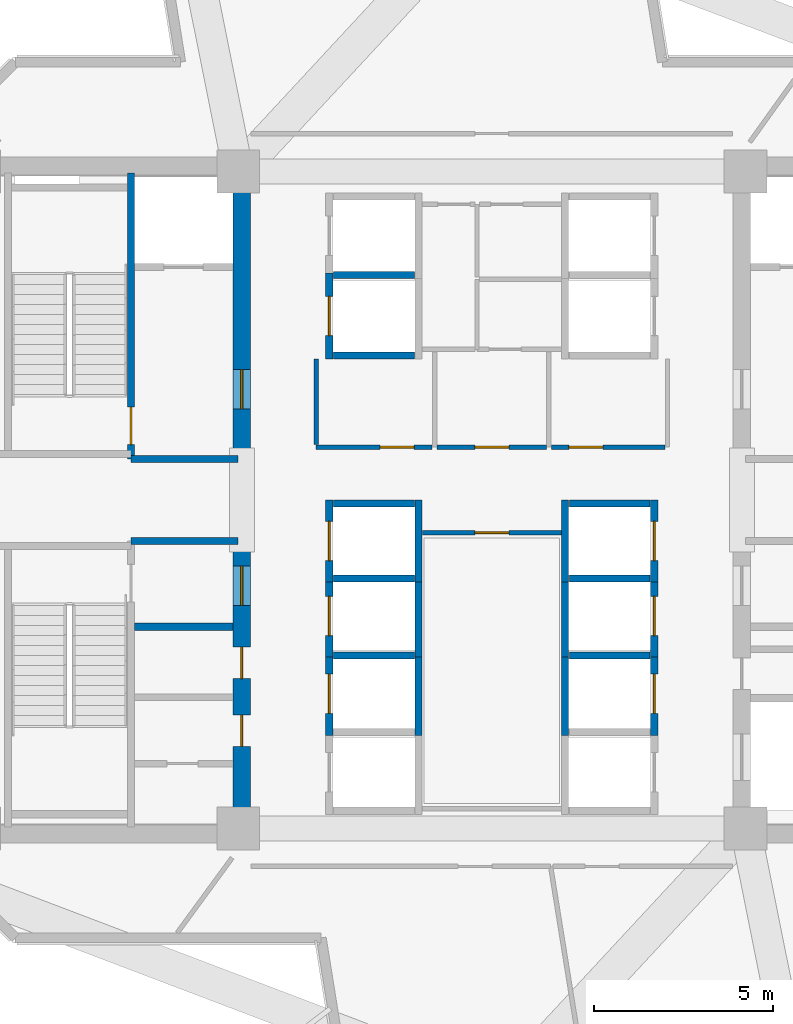
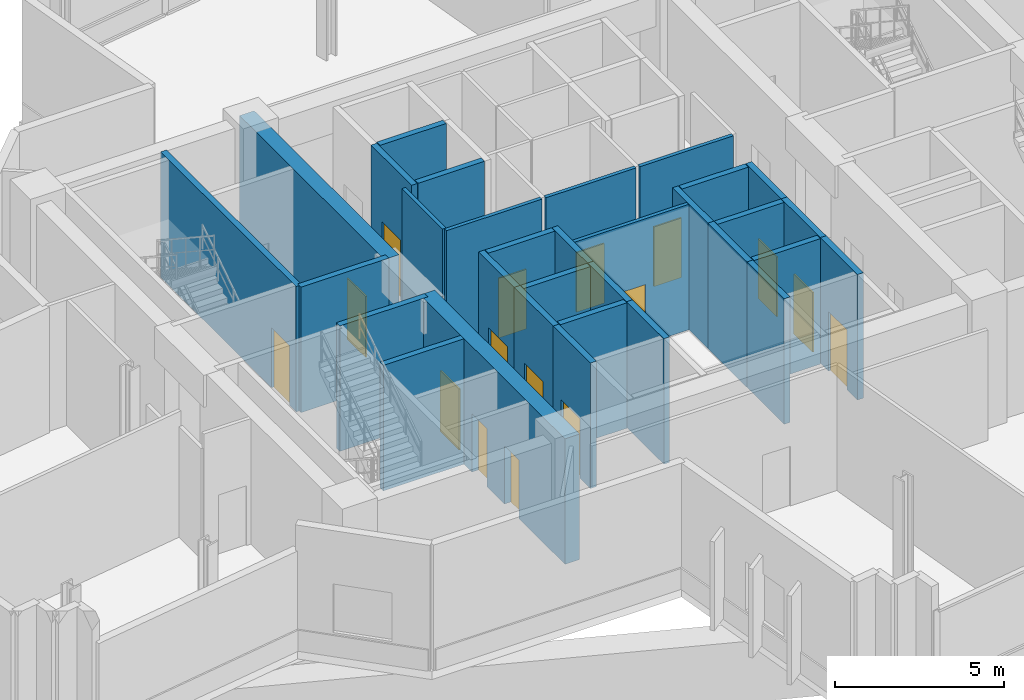
# One storey, part 6 of 12: 32 walls, 16 doors, 16 openings.
"""IFC4 building model written with IfcOpenShell, lengths in metres."""

from ifc_helpers import new_model, si_unit, direction, frame, frame_2d, origin, place, context, subcontext, project, spatial, rectangle, extrude, source, transform, mapped, material, layer, layer_set, type_object, element, fill, save


model = new_model("IFC4")

# Units and contexts
model_context = context("Model", 3, precision=1e-05, world=origin(), true_north=direction((0.0, 1.0)))
body_context = subcontext(model_context, "Body", "Model", "MODEL_VIEW")
ifc_project = project(units=[si_unit("LENGTHUNIT", "METRE"), si_unit("AREAUNIT", "SQUARE_METRE"), si_unit("VOLUMEUNIT", "CUBIC_METRE"), si_unit("PLANEANGLEUNIT", "RADIAN"), si_unit("MASSUNIT", "GRAM", prefix="KILO")], contexts=[model_context])

# Site, building, storey
site_placement = place(None, origin())
site = spatial("IfcSite", under=ifc_project, at=site_placement, CompositionType="ELEMENT")
building_placement = place(site_placement, origin())
building = spatial("IfcBuilding", under=site, at=building_placement, Name="Zahravan Cultural Tower", CompositionType="ELEMENT")
storey_placement = place(building_placement, frame((0.0, 0.0, 130.800048828125)))
storey = spatial("IfcBuildingStorey", under=building, at=storey_placement, Name="L29", CompositionType="ELEMENT", Elevation=130.800048828125)

# Wall, openings, doors
ifc_material_1 = material(Name="Concrete C60/75", Category="concrete")
ifc_layer_1 = layer(ifc_material_1, 0.5)
ifc_layer_set_1 = layer_set([ifc_layer_1], Name="Concrete C60/75")
wall_type_1 = type_object("IfcWallType", Name="CW-SHEAR-500-C60", PredefinedType="SHEAR", material=ifc_layer_set_1)
wall_1_placement = place(storey_placement, frame((29.0, 17.39990234375, 0.0), z_axis=(0.0, 0.0, 1.0), x_axis=(0.0, 1.0, 0.0)))
wall_1 = element("IfcWall", 1, at=wall_1_placement, inside=storey, type_object=wall_type_1, Name="L29 Core Shear Wall CW-W-ES-L29", PredefinedType="SHEAR", context=body_context, shape_type="SweptSolid", body=[
    extrude(rectangle(XDim=8.550048828125, YDim=0.5, at=frame_2d((4.27490234375, 0.0))), origin(), (0.0, 0.0, 1.0), 4.52001953125),
])
opening_1_placement = place(wall_1_placement, frame((6.64990234375, 0.0, 0.0)))
opening_1 = element("IfcOpeningElement", 2, at=opening_1_placement, cuts=wall_1, Name="Opening D-L29-07", PredefinedType="OPENING", context=body_context, shape_type="SweptSolid", body=[
    extrude(rectangle(XDim=1.10009765625, YDim=2.199951171875, at=frame_2d((0.550048828125, 1.10009765625))), frame((0.0, 0.260009765625, 0.0), z_axis=(0.0, -1.0, 0.0), x_axis=(1.0, 0.0, 0.0)), (0.0, 0.0, 1.0), 0.52001953125),
])
opening_2_placement = place(wall_1_placement, frame((2.699951171875, 0.0, 0.0)))
opening_2 = element("IfcOpeningElement", 3, at=opening_2_placement, cuts=wall_1, Name="Opening D-L29-10", PredefinedType="OPENING", context=body_context, shape_type="SweptSolid", body=[
    extrude(rectangle(XDim=0.8798828125, YDim=2.10009765625, at=frame_2d((0.43994140625, 1.050048828125))), frame((0.0, 0.260009765625, 0.0), z_axis=(0.0, -1.0, 0.0), x_axis=(1.0, 0.0, 0.0)), (0.0, 0.0, 1.0), 0.52001953125),
])
opening_3_placement = place(wall_1_placement, frame((4.60009765625, 0.0, 0.0)))
opening_3 = element("IfcOpeningElement", 4, at=opening_3_placement, cuts=wall_1, Name="Opening D-L29-11", PredefinedType="OPENING", context=body_context, shape_type="SweptSolid", body=[
    extrude(rectangle(XDim=0.8798828125, YDim=2.10009765625, at=frame_2d((0.43994140625, 1.050048828125))), frame((0.0, 0.260009765625, 0.0), z_axis=(0.0, -1.0, 0.0), x_axis=(1.0, 0.0, 0.0)), (0.0, 0.0, 1.0), 0.52001953125),
])
ifc_material_2 = material(Name="Steel ASTM A572 Grade 50", Category="steel")
door_type_1 = type_object("IfcDoorType", Name="DR-LOBBY-1100", OperationType="NOTDEFINED", PredefinedType="DOOR", material=ifc_material_2)
shared_shape_1 = source(origin(), body_context, "Body", "SweptSolid", [
    extrude(rectangle(XDim=1.10009765625, YDim=2.199951171875, at=frame_2d((0.550048828125, 1.10009765625))), frame((0.0, 0.02490234375, 0.0), z_axis=(0.0, -1.0, 0.0), x_axis=(1.0, 0.0, 0.0)), (0.0, 0.0, 1.0), 0.050048828125),
])
door_1_placement = place(opening_1_placement, origin())
door_1 = element("IfcDoor", 5, at=door_1_placement, inside=storey, type_object=door_type_1, Name="L29 Door D-L29-07", OperationType="SINGLE_SWING_RIGHT", OverallHeight=2.199951171875, OverallWidth=1.10009765625, PredefinedType="DOOR", context=body_context, shape_type="MappedRepresentation", body=[
    mapped(shared_shape_1, transform((0.0, 0.0, 0.0), x_axis=(1.0, 0.0, 0.0), y_axis=(0.0, 1.0, 0.0), z_axis=(0.0, 0.0, 1.0), scale=1.0)),
])
fill(opening_1, door_1)
door_type_2 = type_object("IfcDoorType", Name="DR-SVC-880", OperationType="NOTDEFINED", PredefinedType="DOOR", material=ifc_material_2)
shared_shape_2 = source(origin(), body_context, "Body", "SweptSolid", [
    extrude(rectangle(XDim=0.8798828125, YDim=2.10009765625, at=frame_2d((0.43994140625, 1.050048828125))), frame((0.0, 0.02490234375, 0.0), z_axis=(0.0, -1.0, 0.0), x_axis=(1.0, 0.0, 0.0)), (0.0, 0.0, 1.0), 0.050048828125),
])
door_2_placement = place(opening_2_placement, origin())
door_2 = element("IfcDoor", 6, at=door_2_placement, inside=storey, type_object=door_type_2, Name="L29 Door D-L29-10", OperationType="SINGLE_SWING_LEFT", OverallHeight=2.10009765625, OverallWidth=0.8798828125, PredefinedType="DOOR", context=body_context, shape_type="MappedRepresentation", body=[
    mapped(shared_shape_2, transform((0.0, 0.0, 0.0), x_axis=(1.0, 0.0, 0.0), y_axis=(0.0, 1.0, 0.0), z_axis=(0.0, 0.0, 1.0), scale=1.0)),
])
fill(opening_2, door_2)
door_3_placement = place(opening_3_placement, origin())
door_3 = element("IfcDoor", 7, at=door_3_placement, inside=storey, type_object=door_type_2, Name="L29 Door D-L29-11", OperationType="SINGLE_SWING_RIGHT", OverallHeight=2.10009765625, OverallWidth=0.8798828125, PredefinedType="DOOR", context=body_context, shape_type="MappedRepresentation", body=[
    mapped(shared_shape_2, transform((0.0, 0.0, 0.0), x_axis=(1.0, 0.0, 0.0), y_axis=(0.0, 1.0, 0.0), z_axis=(0.0, 0.0, 1.0), scale=1.0)),
])
fill(opening_3, door_3)

# Wall, opening, door
wall_2_placement = place(storey_placement, frame((29.0, 28.050048828125, 0.0), z_axis=(0.0, 0.0, 1.0), x_axis=(0.0, 1.0, 0.0)))
wall_2 = element("IfcWall", 8, at=wall_2_placement, inside=storey, type_object=wall_type_1, Name="L29 Core Shear Wall CW-W-EN-L29", PredefinedType="SHEAR", context=body_context, shape_type="SweptSolid", body=[
    extrude(rectangle(XDim=8.550048828125, YDim=0.5, at=frame_2d((4.27490234375, 0.0))), origin(), (0.0, 0.0, 1.0), 4.52001953125),
])
opening_4_placement = place(wall_2_placement, frame((1.5, 0.0, 0.0)))
opening_4 = element("IfcOpeningElement", 9, at=opening_4_placement, cuts=wall_2, Name="Opening D-L29-05", PredefinedType="OPENING", context=body_context, shape_type="SweptSolid", body=[
    extrude(rectangle(XDim=1.10009765625, YDim=2.199951171875, at=frame_2d((0.550048828125, 1.10009765625))), frame((0.0, 0.260009765625, 0.0), z_axis=(0.0, -1.0, 0.0), x_axis=(1.0, 0.0, 0.0)), (0.0, 0.0, 1.0), 0.52001953125),
])
door_4_placement = place(opening_4_placement, origin())
door_4 = element("IfcDoor", 10, at=door_4_placement, inside=storey, type_object=door_type_1, Name="L29 Door D-L29-05", OperationType="SINGLE_SWING_RIGHT", OverallHeight=2.199951171875, OverallWidth=1.10009765625, PredefinedType="DOOR", context=body_context, shape_type="MappedRepresentation", body=[
    mapped(shared_shape_1, transform((0.0, 0.0, 0.0), x_axis=(1.0, 0.0, 0.0), y_axis=(0.0, 1.0, 0.0), z_axis=(0.0, 0.0, 1.0), scale=1.0)),
])
fill(opening_4, door_4)

ifc_material_3 = material(Name="Gypsum plasterboard partition")
ifc_layer_2 = layer(ifc_material_3, 0.125)
ifc_layer_set_2 = layer_set([ifc_layer_2], Name="Gypsum plasterboard partition")
wall_type_2 = type_object("IfcWallType", Name="W-PART-125", PredefinedType="PARTITIONING", material=ifc_layer_set_2)
wall_3_placement = place(storey_placement, frame((37.532470703125, 28.47998046875, 0.0), z_axis=(0.0, 0.0, 1.0), x_axis=(-1.0, 0.0, 0.0)))
wall_3 = element("IfcWall", 11, at=wall_3_placement, inside=storey, type_object=wall_type_2, Name="L29 Interior Wall 078", PredefinedType="PARTITIONING", context=body_context, shape_type="SweptSolid", body=[
    extrude(rectangle(XDim=3.06494140625, YDim=0.125, at=frame_2d((1.532470703125, 0.0))), origin(), (0.0, 0.0, 1.0), 4.52001953125),
])
opening_5_placement = place(wall_3_placement, frame((1.0576171875, 0.0, 0.0)))
opening_5 = element("IfcOpeningElement", 12, at=opening_5_placement, cuts=wall_3, Name="Opening D-L29-16", PredefinedType="OPENING", context=body_context, shape_type="SweptSolid", body=[
    extrude(rectangle(XDim=0.949951171875, YDim=2.14990234375, at=frame_2d((0.47509765625, 1.074951171875))), frame((0.0, 0.072509765625, 0.0), z_axis=(0.0, -1.0, 0.0), x_axis=(1.0, 0.0, 0.0)), (0.0, 0.0, 1.0), 0.14501953125),
])
ifc_material_4 = material(Name="Anodised bronze-aluminium mullion", Category="aluminium")
door_type_3 = type_object("IfcDoorType", Name="DR-ROOM-950", OperationType="NOTDEFINED", PredefinedType="DOOR", material=ifc_material_4)
shared_shape_3 = source(origin(), body_context, "Body", "SweptSolid", [
    extrude(rectangle(XDim=0.949951171875, YDim=2.14990234375, at=frame_2d((0.47509765625, 1.074951171875))), frame((0.0, 0.02490234375, 0.0), z_axis=(0.0, -1.0, 0.0), x_axis=(1.0, 0.0, 0.0)), (0.0, 0.0, 1.0), 0.050048828125),
])
door_5_placement = place(opening_5_placement, origin())
door_5 = element("IfcDoor", 13, at=door_5_placement, inside=storey, type_object=door_type_3, Name="L29 Door D-L29-16", OperationType="SINGLE_SWING_LEFT", OverallHeight=2.14990234375, OverallWidth=0.949951171875, PredefinedType="DOOR", context=body_context, shape_type="MappedRepresentation", body=[
    mapped(shared_shape_3, transform((0.0, 0.0, 0.0), x_axis=(1.0, 0.0, 0.0), y_axis=(0.0, 1.0, 0.0), z_axis=(0.0, 0.0, 1.0), scale=1.0)),
])
fill(opening_5, door_5)

wall_4_placement = place(storey_placement, frame((34.33251953125, 28.47998046875, 0.0), z_axis=(0.0, 0.0, 1.0), x_axis=(-1.0, 0.0, 0.0)))
wall_4 = element("IfcWall", 14, at=wall_4_placement, inside=storey, type_object=wall_type_2, Name="L29 Interior Wall 079", PredefinedType="PARTITIONING", context=body_context, shape_type="SweptSolid", body=[
    extrude(rectangle(XDim=3.25244140625, YDim=0.125, at=frame_2d((1.626220703125, 0.0))), origin(), (0.0, 0.0, 1.0), 4.52001953125),
])
opening_6_placement = place(wall_4_placement, frame((0.506591796875, 0.0, 0.0)))
opening_6 = element("IfcOpeningElement", 15, at=opening_6_placement, cuts=wall_4, Name="Opening D-L29-15", PredefinedType="OPENING", context=body_context, shape_type="SweptSolid", body=[
    extrude(rectangle(XDim=0.949951171875, YDim=2.14990234375, at=frame_2d((0.47509765625, 1.074951171875))), frame((0.0, 0.072509765625, 0.0), z_axis=(0.0, -1.0, 0.0), x_axis=(1.0, 0.0, 0.0)), (0.0, 0.0, 1.0), 0.14501953125),
])
door_6_placement = place(opening_6_placement, origin())
door_6 = element("IfcDoor", 16, at=door_6_placement, inside=storey, type_object=door_type_3, Name="L29 Door D-L29-15", OperationType="SINGLE_SWING_RIGHT", OverallHeight=2.14990234375, OverallWidth=0.949951171875, PredefinedType="DOOR", context=body_context, shape_type="MappedRepresentation", body=[
    mapped(shared_shape_3, transform((0.0, 0.0, 0.0), x_axis=(1.0, 0.0, 0.0), y_axis=(0.0, 1.0, 0.0), z_axis=(0.0, 0.0, 1.0), scale=1.0)),
])
fill(opening_6, door_6)

wall_5_placement = place(storey_placement, frame((40.8525390625, 28.47998046875, 0.0), z_axis=(0.0, 0.0, 1.0), x_axis=(-1.0, 0.0, 0.0)))
wall_5 = element("IfcWall", 17, at=wall_5_placement, inside=storey, type_object=wall_type_2, Name="L29 Interior Wall 082", PredefinedType="PARTITIONING", context=body_context, shape_type="SweptSolid", body=[
    extrude(rectangle(XDim=3.18505859375, YDim=0.125, at=frame_2d((1.592529296875, 0.0))), origin(), (0.0, 0.0, 1.0), 4.52001953125),
])
opening_7_placement = place(wall_5_placement, frame((1.743408203125, 0.0, 0.0)))
opening_7 = element("IfcOpeningElement", 18, at=opening_7_placement, cuts=wall_5, Name="Opening D-L29-17", PredefinedType="OPENING", context=body_context, shape_type="SweptSolid", body=[
    extrude(rectangle(XDim=0.949951171875, YDim=2.14990234375, at=frame_2d((0.47509765625, 1.074951171875))), frame((0.0, 0.072509765625, 0.0), z_axis=(0.0, -1.0, 0.0), x_axis=(1.0, 0.0, 0.0)), (0.0, 0.0, 1.0), 0.14501953125),
])
door_7_placement = place(opening_7_placement, origin())
door_7 = element("IfcDoor", 19, at=door_7_placement, inside=storey, type_object=door_type_3, Name="L29 Door D-L29-17", OperationType="SINGLE_SWING_RIGHT", OverallHeight=2.14990234375, OverallWidth=0.949951171875, PredefinedType="DOOR", context=body_context, shape_type="MappedRepresentation", body=[
    mapped(shared_shape_3, transform((0.0, 0.0, 0.0), x_axis=(1.0, 0.0, 0.0), y_axis=(0.0, 1.0, 0.0), z_axis=(0.0, 0.0, 1.0), scale=1.0)),
])
fill(opening_7, door_7)

wall_6_placement = place(storey_placement, frame((34.054931640625, 26.080078125, 0.0), z_axis=(0.0, 0.0, 1.0), x_axis=(1.0, 0.0, 0.0)))
wall_6 = element("IfcWall", 20, at=wall_6_placement, inside=storey, type_object=wall_type_2, Name="L29 Interior Wall 084", PredefinedType="PARTITIONING", context=body_context, shape_type="SweptSolid", body=[
    extrude(rectangle(XDim=3.89013671875, YDim=0.125, at=frame_2d((1.945068359375, 0.0))), origin(), (0.0, 0.0, 1.0), 4.52001953125),
])
opening_8_placement = place(wall_6_placement, frame((1.469970703125, 0.0, 0.0)))
opening_8 = element("IfcOpeningElement", 21, at=opening_8_placement, cuts=wall_6, Name="Opening D-L29-18", PredefinedType="OPENING", context=body_context, shape_type="SweptSolid", body=[
    extrude(rectangle(XDim=0.949951171875, YDim=2.14990234375, at=frame_2d((0.47509765625, 1.074951171875))), frame((0.0, 0.072509765625, 0.0), z_axis=(0.0, -1.0, 0.0), x_axis=(1.0, 0.0, 0.0)), (0.0, 0.0, 1.0), 0.14501953125),
])
door_8_placement = place(opening_8_placement, origin())
door_8 = element("IfcDoor", 22, at=door_8_placement, inside=storey, type_object=door_type_3, Name="L29 Door D-L29-18", OperationType="SINGLE_SWING_LEFT", OverallHeight=2.14990234375, OverallWidth=0.949951171875, PredefinedType="DOOR", context=body_context, shape_type="MappedRepresentation", body=[
    mapped(shared_shape_3, transform((0.0, 0.0, 0.0), x_axis=(1.0, 0.0, 0.0), y_axis=(0.0, 1.0, 0.0), z_axis=(0.0, 0.0, 1.0), scale=1.0)),
])
fill(opening_8, door_8)

ifc_material_5 = material(Name="Concrete C45/55", Category="concrete")
ifc_layer_3 = layer(ifc_material_5, 0.199951171875)
ifc_layer_set_3 = layer_set([ifc_layer_3], Name="Concrete C45/55")
wall_type_3 = type_object("IfcWallType", Name="W-SHAFT-200", PredefinedType="SOLIDWALL", material=ifc_layer_set_3)
wall_7_placement = place(storey_placement, frame((25.89990234375, 28.14990234375, 0.0), z_axis=(0.0, 0.0, 1.0), x_axis=(0.0, 1.0, 0.0)))
wall_7 = element("IfcWall", 23, at=wall_7_placement, inside=storey, type_object=wall_type_3, Name="L29 Interior Wall 006", PredefinedType="SOLIDWALL", context=body_context, shape_type="SweptSolid", body=[
    extrude(rectangle(XDim=8.0, YDim=0.199951171875, at=frame_2d((4.0, 0.0))), origin(), (0.0, 0.0, 1.0), 4.52001953125),
])
opening_9_placement = place(wall_7_placement, frame((0.39990234375, 0.0, 0.0)))
opening_9 = element("IfcOpeningElement", 24, at=opening_9_placement, cuts=wall_7, Name="Opening D-L29-01", PredefinedType="OPENING", context=body_context, shape_type="SweptSolid", body=[
    extrude(rectangle(XDim=1.050048828125, YDim=2.14990234375, at=frame_2d((0.52490234375, 1.074951171875))), frame((0.0, 0.10986328125, 0.0), z_axis=(0.0, -1.0, 0.0), x_axis=(1.0, 0.0, 0.0)), (0.0, 0.0, 1.0), 0.219970703125),
])
door_type_4 = type_object("IfcDoorType", Name="DR-STAIR-1050", OperationType="NOTDEFINED", PredefinedType="DOOR", material=ifc_material_2)
shared_shape_4 = source(origin(), body_context, "Body", "SweptSolid", [
    extrude(rectangle(XDim=1.050048828125, YDim=2.14990234375, at=frame_2d((0.52490234375, 1.074951171875))), frame((0.0, 0.02490234375, 0.0), z_axis=(0.0, -1.0, 0.0), x_axis=(1.0, 0.0, 0.0)), (0.0, 0.0, 1.0), 0.050048828125),
])
door_9_placement = place(opening_9_placement, origin())
door_9 = element("IfcDoor", 25, at=door_9_placement, inside=storey, type_object=door_type_4, Name="L29 Door D-L29-01", OperationType="SINGLE_SWING_RIGHT", OverallHeight=2.14990234375, OverallWidth=1.050048828125, PredefinedType="DOOR", context=body_context, shape_type="MappedRepresentation", body=[
    mapped(shared_shape_4, transform((0.0, 0.0, 0.0), x_axis=(1.0, 0.0, 0.0), y_axis=(0.0, 1.0, 0.0), z_axis=(0.0, 0.0, 1.0), scale=1.0)),
])
fill(opening_9, door_9)

wall_8_placement = place(storey_placement, frame((31.449951171875, 30.949951171875, 0.0), z_axis=(0.0, 0.0, 1.0), x_axis=(0.0, 1.0, 0.0)))
wall_8 = element("IfcWall", 26, at=wall_8_placement, inside=storey, type_object=wall_type_3, Name="L29 Interior Wall 033", PredefinedType="SOLIDWALL", context=body_context, shape_type="SweptSolid", body=[
    extrude(rectangle(XDim=2.400146484375, YDim=0.199951171875, at=frame_2d((1.2001953125, 0.0))), origin(), (0.0, 0.0, 1.0), 4.52001953125),
])
opening_10_placement = place(wall_8_placement, frame((0.64990234375, 0.0, 0.0)))
opening_10 = element("IfcOpeningElement", 27, at=opening_10_placement, cuts=wall_8, Name="Opening LD-L29-05", PredefinedType="OPENING", context=body_context, shape_type="SweptSolid", body=[
    extrude(rectangle(XDim=1.10009765625, YDim=2.14990234375, at=frame_2d((0.550048828125, 1.074951171875))), frame((0.0, 0.10986328125, 0.0), z_axis=(0.0, -1.0, 0.0), x_axis=(1.0, 0.0, 0.0)), (0.0, 0.0, 1.0), 0.219970703125),
])
door_type_5 = type_object("IfcDoorType", Name="DR-LIFT-1100", OperationType="DOUBLE_DOOR_SLIDING", PredefinedType="DOOR", material=ifc_material_2)
shared_shape_5 = source(origin(), body_context, "Body", "SweptSolid", [
    extrude(rectangle(XDim=1.10009765625, YDim=2.14990234375, at=frame_2d((0.550048828125, 1.074951171875))), frame((0.0, 0.02490234375, 0.0), z_axis=(0.0, -1.0, 0.0), x_axis=(1.0, 0.0, 0.0)), (0.0, 0.0, 1.0), 0.050048828125),
])
door_10_placement = place(opening_10_placement, origin())
door_10 = element("IfcDoor", 28, at=door_10_placement, inside=storey, type_object=door_type_5, Name="L29 Door LD-L29-05", OperationType="DOUBLE_DOOR_SLIDING", OverallHeight=2.14990234375, OverallWidth=1.10009765625, PredefinedType="DOOR", context=body_context, shape_type="MappedRepresentation", body=[
    mapped(shared_shape_5, transform((0.0, 0.0, 0.0), x_axis=(1.0, 0.0, 0.0), y_axis=(0.0, 1.0, 0.0), z_axis=(0.0, 0.0, 1.0), scale=1.0)),
])
fill(opening_10, door_10)

wall_9_placement = place(storey_placement, frame((31.449951171875, 20.39990234375, 0.0), z_axis=(0.0, 0.0, 1.0), x_axis=(0.0, 1.0, 0.0)))
wall_9 = element("IfcWall", 29, at=wall_9_placement, inside=storey, type_object=wall_type_3, Name="L29 Interior Wall 043", PredefinedType="SOLIDWALL", context=body_context, shape_type="SweptSolid", body=[
    extrude(rectangle(XDim=2.35009765625, YDim=0.199951171875, at=frame_2d((1.175048828125, 0.0))), origin(), (0.0, 0.0, 1.0), 4.52001953125),
])
opening_11_placement = place(wall_9_placement, frame((0.625, 0.0, 0.0)))
opening_11 = element("IfcOpeningElement", 30, at=opening_11_placement, cuts=wall_9, Name="Opening LD-L29-08", PredefinedType="OPENING", context=body_context, shape_type="SweptSolid", body=[
    extrude(rectangle(XDim=1.10009765625, YDim=2.14990234375, at=frame_2d((0.550048828125, 1.074951171875))), frame((0.0, 0.10986328125, 0.0), z_axis=(0.0, -1.0, 0.0), x_axis=(1.0, 0.0, 0.0)), (0.0, 0.0, 1.0), 0.219970703125),
])
door_11_placement = place(opening_11_placement, origin())
door_11 = element("IfcDoor", 31, at=door_11_placement, inside=storey, type_object=door_type_5, Name="L29 Door LD-L29-08", OperationType="DOUBLE_DOOR_SLIDING", OverallHeight=2.14990234375, OverallWidth=1.10009765625, PredefinedType="DOOR", context=body_context, shape_type="MappedRepresentation", body=[
    mapped(shared_shape_5, transform((0.0, 0.0, 0.0), x_axis=(1.0, 0.0, 0.0), y_axis=(0.0, 1.0, 0.0), z_axis=(0.0, 0.0, 1.0), scale=1.0)),
])
fill(opening_11, door_11)

wall_10_placement = place(storey_placement, frame((40.550048828125, 20.39990234375, 0.0), z_axis=(0.0, 0.0, 1.0), x_axis=(0.0, 1.0, 0.0)))
wall_10 = element("IfcWall", 32, at=wall_10_placement, inside=storey, type_object=wall_type_3, Name="L29 Interior Wall 051", PredefinedType="SOLIDWALL", context=body_context, shape_type="SweptSolid", body=[
    extrude(rectangle(XDim=2.35009765625, YDim=0.199951171875, at=frame_2d((1.175048828125, 0.0))), origin(), (0.0, 0.0, 1.0), 4.52001953125),
])
opening_12_placement = place(wall_10_placement, frame((0.625, 0.0, 0.0)))
opening_12 = element("IfcOpeningElement", 33, at=opening_12_placement, cuts=wall_10, Name="Opening LD-L29-10", PredefinedType="OPENING", context=body_context, shape_type="SweptSolid", body=[
    extrude(rectangle(XDim=1.10009765625, YDim=2.14990234375, at=frame_2d((0.550048828125, 1.074951171875))), frame((0.0, 0.10986328125, 0.0), z_axis=(0.0, -1.0, 0.0), x_axis=(1.0, 0.0, 0.0)), (0.0, 0.0, 1.0), 0.219970703125),
])
door_12_placement = place(opening_12_placement, origin())
door_12 = element("IfcDoor", 34, at=door_12_placement, inside=storey, type_object=door_type_5, Name="L29 Door LD-L29-10", OperationType="DOUBLE_DOOR_SLIDING", OverallHeight=2.14990234375, OverallWidth=1.10009765625, PredefinedType="DOOR", context=body_context, shape_type="MappedRepresentation", body=[
    mapped(shared_shape_5, transform((0.0, 0.0, 0.0), x_axis=(1.0, 0.0, 0.0), y_axis=(0.0, 1.0, 0.0), z_axis=(0.0, 0.0, 1.0), scale=1.0)),
])
fill(opening_12, door_12)

wall_11_placement = place(storey_placement, frame((31.449951171875, 24.699951171875, 0.0), z_axis=(0.0, 0.0, 1.0), x_axis=(0.0, 1.0, 0.0)))
wall_11 = element("IfcWall", 35, at=wall_11_placement, inside=storey, type_object=wall_type_3, Name="L29 Interior Wall 057", PredefinedType="SOLIDWALL", context=body_context, shape_type="SweptSolid", body=[
    extrude(rectangle(XDim=2.300048828125, YDim=0.199951171875, at=frame_2d((1.14990234375, 0.0))), origin(), (0.0, 0.0, 1.0), 4.52001953125),
])
opening_13_placement = place(wall_11_placement, frame((0.60009765625, 0.0, 0.0)))
opening_13 = element("IfcOpeningElement", 36, at=opening_13_placement, cuts=wall_11, Name="Opening LD-L29-12", PredefinedType="OPENING", context=body_context, shape_type="SweptSolid", body=[
    extrude(rectangle(XDim=1.10009765625, YDim=2.14990234375, at=frame_2d((0.550048828125, 1.074951171875))), frame((0.0, 0.10986328125, 0.0), z_axis=(0.0, -1.0, 0.0), x_axis=(1.0, 0.0, 0.0)), (0.0, 0.0, 1.0), 0.219970703125),
])
door_13_placement = place(opening_13_placement, origin())
door_13 = element("IfcDoor", 37, at=door_13_placement, inside=storey, type_object=door_type_5, Name="L29 Door LD-L29-12", OperationType="DOUBLE_DOOR_SLIDING", OverallHeight=2.14990234375, OverallWidth=1.10009765625, PredefinedType="DOOR", context=body_context, shape_type="MappedRepresentation", body=[
    mapped(shared_shape_5, transform((0.0, 0.0, 0.0), x_axis=(1.0, 0.0, 0.0), y_axis=(0.0, 1.0, 0.0), z_axis=(0.0, 0.0, 1.0), scale=1.0)),
])
fill(opening_13, door_13)

wall_12_placement = place(storey_placement, frame((31.449951171875, 22.60009765625, 0.0), z_axis=(0.0, 0.0, 1.0), x_axis=(0.0, 1.0, 0.0)))
wall_12 = element("IfcWall", 38, at=wall_12_placement, inside=storey, type_object=wall_type_3, Name="L29 Interior Wall 061", PredefinedType="SOLIDWALL", context=body_context, shape_type="SweptSolid", body=[
    extrude(rectangle(XDim=2.2998046875, YDim=0.199951171875, at=frame_2d((1.14990234375, 0.0))), origin(), (0.0, 0.0, 1.0), 4.52001953125),
])
opening_14_placement = place(wall_12_placement, frame((0.60009765625, 0.0, 0.0)))
opening_14 = element("IfcOpeningElement", 39, at=opening_14_placement, cuts=wall_12, Name="Opening LD-L29-13", PredefinedType="OPENING", context=body_context, shape_type="SweptSolid", body=[
    extrude(rectangle(XDim=1.10009765625, YDim=2.14990234375, at=frame_2d((0.550048828125, 1.074951171875))), frame((0.0, 0.10986328125, 0.0), z_axis=(0.0, -1.0, 0.0), x_axis=(1.0, 0.0, 0.0)), (0.0, 0.0, 1.0), 0.219970703125),
])
door_14_placement = place(opening_14_placement, origin())
door_14 = element("IfcDoor", 40, at=door_14_placement, inside=storey, type_object=door_type_5, Name="L29 Door LD-L29-13", OperationType="DOUBLE_DOOR_SLIDING", OverallHeight=2.14990234375, OverallWidth=1.10009765625, PredefinedType="DOOR", context=body_context, shape_type="MappedRepresentation", body=[
    mapped(shared_shape_5, transform((0.0, 0.0, 0.0), x_axis=(1.0, 0.0, 0.0), y_axis=(0.0, 1.0, 0.0), z_axis=(0.0, 0.0, 1.0), scale=1.0)),
])
fill(opening_14, door_14)

wall_13_placement = place(storey_placement, frame((40.550048828125, 24.699951171875, 0.0), z_axis=(0.0, 0.0, 1.0), x_axis=(0.0, 1.0, 0.0)))
wall_13 = element("IfcWall", 41, at=wall_13_placement, inside=storey, type_object=wall_type_3, Name="L29 Interior Wall 064", PredefinedType="SOLIDWALL", context=body_context, shape_type="SweptSolid", body=[
    extrude(rectangle(XDim=2.300048828125, YDim=0.199951171875, at=frame_2d((1.14990234375, 0.0))), origin(), (0.0, 0.0, 1.0), 4.52001953125),
])
opening_15_placement = place(wall_13_placement, frame((0.60009765625, 0.0, 0.0)))
opening_15 = element("IfcOpeningElement", 42, at=opening_15_placement, cuts=wall_13, Name="Opening LD-L29-14", PredefinedType="OPENING", context=body_context, shape_type="SweptSolid", body=[
    extrude(rectangle(XDim=1.10009765625, YDim=2.14990234375, at=frame_2d((0.550048828125, 1.074951171875))), frame((0.0, 0.10986328125, 0.0), z_axis=(0.0, -1.0, 0.0), x_axis=(1.0, 0.0, 0.0)), (0.0, 0.0, 1.0), 0.219970703125),
])
door_15_placement = place(opening_15_placement, origin())
door_15 = element("IfcDoor", 43, at=door_15_placement, inside=storey, type_object=door_type_5, Name="L29 Door LD-L29-14", OperationType="DOUBLE_DOOR_SLIDING", OverallHeight=2.14990234375, OverallWidth=1.10009765625, PredefinedType="DOOR", context=body_context, shape_type="MappedRepresentation", body=[
    mapped(shared_shape_5, transform((0.0, 0.0, 0.0), x_axis=(1.0, 0.0, 0.0), y_axis=(0.0, 1.0, 0.0), z_axis=(0.0, 0.0, 1.0), scale=1.0)),
])
fill(opening_15, door_15)

wall_14_placement = place(storey_placement, frame((40.550048828125, 22.60009765625, 0.0), z_axis=(0.0, 0.0, 1.0), x_axis=(0.0, 1.0, 0.0)))
wall_14 = element("IfcWall", 44, at=wall_14_placement, inside=storey, type_object=wall_type_3, Name="L29 Interior Wall 068", PredefinedType="SOLIDWALL", context=body_context, shape_type="SweptSolid", body=[
    extrude(rectangle(XDim=2.2998046875, YDim=0.199951171875, at=frame_2d((1.14990234375, 0.0))), origin(), (0.0, 0.0, 1.0), 4.52001953125),
])
opening_16_placement = place(wall_14_placement, frame((0.60009765625, 0.0, 0.0)))
opening_16 = element("IfcOpeningElement", 45, at=opening_16_placement, cuts=wall_14, Name="Opening LD-L29-15", PredefinedType="OPENING", context=body_context, shape_type="SweptSolid", body=[
    extrude(rectangle(XDim=1.10009765625, YDim=2.14990234375, at=frame_2d((0.550048828125, 1.074951171875))), frame((0.0, 0.10986328125, 0.0), z_axis=(0.0, -1.0, 0.0), x_axis=(1.0, 0.0, 0.0)), (0.0, 0.0, 1.0), 0.219970703125),
])
door_16_placement = place(opening_16_placement, origin())
door_16 = element("IfcDoor", 46, at=door_16_placement, inside=storey, type_object=door_type_5, Name="L29 Door LD-L29-15", OperationType="DOUBLE_DOOR_SLIDING", OverallHeight=2.14990234375, OverallWidth=1.10009765625, PredefinedType="DOOR", context=body_context, shape_type="MappedRepresentation", body=[
    mapped(shared_shape_5, transform((0.0, 0.0, 0.0), x_axis=(1.0, 0.0, 0.0), y_axis=(0.0, 1.0, 0.0), z_axis=(0.0, 0.0, 1.0), scale=1.0)),
])
fill(opening_16, door_16)

# Walls
shared_shape_6 = source(origin(), body_context, "Body", "SweptSolid", [
    extrude(rectangle(XDim=3.0, YDim=0.199951171875, at=frame_2d((1.5, 0.0))), origin(), (0.0, 0.0, 1.0), 4.52001953125),
])
for number, where, z_axis, x_axis, name in (
    (47, (25.89990234375, 25.85009765625, 0.0), (0.0, 0.0, 1.0), (1.0, 0.0, 0.0), "L29 Interior Wall 010"),
    (48, (25.89990234375, 28.14990234375, 0.0), (0.0, 0.0, 1.0), (1.0, 0.0, 0.0), "L29 Interior Wall 012"),
):
    element("IfcWall", number, at=place(storey_placement, frame(where, z_axis=z_axis, x_axis=x_axis)), inside=storey, type_object=wall_type_3, Name=name, PredefinedType="SOLIDWALL", context=body_context, shape_type="MappedRepresentation", body=[
        mapped(shared_shape_6, transform((0.0, 0.0, 0.0), x_axis=(1.0, 0.0, 0.0), y_axis=(0.0, 1.0, 0.0), z_axis=(0.0, 0.0, 1.0), scale=1.0)),
    ])
shared_shape_7 = source(origin(), body_context, "Body", "SweptSolid", [
    extrude(rectangle(XDim=2.75, YDim=0.199951171875, at=frame_2d((1.375, 0.0))), origin(), (0.0, 0.0, 1.0), 4.52001953125),
])
wall_15_placement = place(storey_placement, frame((26.0, 23.449951171875, 0.0), z_axis=(0.0, 0.0, 1.0), x_axis=(1.0, 0.0, 0.0)))
element("IfcWall", 49, at=wall_15_placement, inside=storey, type_object=wall_type_3, Name="L29 Interior Wall 023", PredefinedType="SOLIDWALL", context=body_context, shape_type="MappedRepresentation", body=[
    mapped(shared_shape_7, transform((0.0, 0.0, 0.0), x_axis=(1.0, 0.0, 0.0), y_axis=(0.0, 1.0, 0.0), z_axis=(0.0, 0.0, 1.0), scale=1.0)),
])
shared_shape_8 = source(origin(), body_context, "Body", "SweptSolid", [
    extrude(rectangle(XDim=2.260009765625, YDim=0.199951171875, at=frame_2d((1.1298828125, 0.0))), origin(), (0.0, 0.0, 1.0), 4.52001953125),
])
for number, where, z_axis, x_axis, name in (
    (50, (31.570068359375, 33.300048828125, 0.0), (0.0, 0.0, 1.0), (1.0, 0.0, 0.0), "L29 Interior Wall 031"),
    (51, (31.570068359375, 31.050048828125, 0.0), (0.0, 0.0, 1.0), (1.0, 0.0, 0.0), "L29 Interior Wall 035"),
    (52, (31.570068359375, 22.64990234375, 0.0), (0.0, 0.0, 1.0), (1.0, 0.0, 0.0), "L29 Interior Wall 046"),
    (53, (38.169921875, 22.64990234375, 0.0), (0.0, 0.0, 1.0), (1.0, 0.0, 0.0), "L29 Interior Wall 053"),
    (54, (31.570068359375, 24.800048828125, 0.0), (0.0, 0.0, 1.0), (1.0, 0.0, 0.0), "L29 Interior Wall 059"),
    (55, (31.570068359375, 26.89990234375, 0.0), (0.0, 0.0, 1.0), (1.0, 0.0, 0.0), "L29 Interior Wall 060"),
    (56, (38.169921875, 24.800048828125, 0.0), (0.0, 0.0, 1.0), (1.0, 0.0, 0.0), "L29 Interior Wall 065"),
    (57, (38.169921875, 26.89990234375, 0.0), (0.0, 0.0, 1.0), (1.0, 0.0, 0.0), "L29 Interior Wall 066"),
):
    element("IfcWall", number, at=place(storey_placement, frame(where, z_axis=z_axis, x_axis=x_axis)), inside=storey, type_object=wall_type_3, Name=name, PredefinedType="SOLIDWALL", context=body_context, shape_type="MappedRepresentation", body=[
        mapped(shared_shape_8, transform((0.0, 0.0, 0.0), x_axis=(1.0, 0.0, 0.0), y_axis=(0.0, 1.0, 0.0), z_axis=(0.0, 0.0, 1.0), scale=1.0)),
    ])
shared_shape_9 = source(origin(), body_context, "Body", "SweptSolid", [
    extrude(rectangle(XDim=2.35009765625, YDim=0.199951171875, at=frame_2d((1.175048828125, 0.0))), origin(), (0.0, 0.0, 1.0), 4.52001953125),
])
for number, where, z_axis, x_axis, name in (
    (58, (33.949951171875, 20.39990234375, 0.0), (0.0, 0.0, 1.0), (0.0, 1.0, 0.0), "L29 Interior Wall 044"),
    (59, (38.050048828125, 20.39990234375, 0.0), (0.0, 0.0, 1.0), (0.0, 1.0, 0.0), "L29 Interior Wall 050"),
):
    element("IfcWall", number, at=place(storey_placement, frame(where, z_axis=z_axis, x_axis=x_axis)), inside=storey, type_object=wall_type_3, Name=name, PredefinedType="SOLIDWALL", context=body_context, shape_type="MappedRepresentation", body=[
        mapped(shared_shape_9, transform((0.0, 0.0, 0.0), x_axis=(1.0, 0.0, 0.0), y_axis=(0.0, 1.0, 0.0), z_axis=(0.0, 0.0, 1.0), scale=1.0)),
    ])
shared_shape_10 = source(origin(), body_context, "Body", "SweptSolid", [
    extrude(rectangle(XDim=2.300048828125, YDim=0.199951171875, at=frame_2d((1.14990234375, 0.0))), origin(), (0.0, 0.0, 1.0), 4.52001953125),
])
for number, where, z_axis, x_axis, name in (
    (60, (33.949951171875, 24.699951171875, 0.0), (0.0, 0.0, 1.0), (0.0, 1.0, 0.0), "L29 Interior Wall 058"),
    (61, (38.050048828125, 24.699951171875, 0.0), (0.0, 0.0, 1.0), (0.0, 1.0, 0.0), "L29 Interior Wall 063"),
):
    element("IfcWall", number, at=place(storey_placement, frame(where, z_axis=z_axis, x_axis=x_axis)), inside=storey, type_object=wall_type_3, Name=name, PredefinedType="SOLIDWALL", context=body_context, shape_type="MappedRepresentation", body=[
        mapped(shared_shape_10, transform((0.0, 0.0, 0.0), x_axis=(1.0, 0.0, 0.0), y_axis=(0.0, 1.0, 0.0), z_axis=(0.0, 0.0, 1.0), scale=1.0)),
    ])
shared_shape_11 = source(origin(), body_context, "Body", "SweptSolid", [
    extrude(rectangle(XDim=2.2998046875, YDim=0.199951171875, at=frame_2d((1.14990234375, 0.0))), origin(), (0.0, 0.0, 1.0), 4.52001953125),
])
for number, where, z_axis, x_axis, name in (
    (62, (33.949951171875, 22.60009765625, 0.0), (0.0, 0.0, 1.0), (0.0, 1.0, 0.0), "L29 Interior Wall 062"),
    (63, (38.050048828125, 22.60009765625, 0.0), (0.0, 0.0, 1.0), (0.0, 1.0, 0.0), "L29 Interior Wall 067"),
):
    element("IfcWall", number, at=place(storey_placement, frame(where, z_axis=z_axis, x_axis=x_axis)), inside=storey, type_object=wall_type_3, Name=name, PredefinedType="SOLIDWALL", context=body_context, shape_type="MappedRepresentation", body=[
        mapped(shared_shape_11, transform((0.0, 0.0, 0.0), x_axis=(1.0, 0.0, 0.0), y_axis=(0.0, 1.0, 0.0), z_axis=(0.0, 0.0, 1.0), scale=1.0)),
    ])
shared_shape_12 = source(origin(), body_context, "Body", "SweptSolid", [
    extrude(rectangle(XDim=2.40234375, YDim=0.125, at=frame_2d((1.201171875, 0.0))), origin(), (0.0, 0.0, 1.0), 4.52001953125),
])
wall_16_placement = place(storey_placement, frame((31.080078125, 28.547607421875, 0.0), z_axis=(0.0, 0.0, 1.0), x_axis=(0.0, 1.0, 0.0)))
element("IfcWall", 64, at=wall_16_placement, inside=storey, type_object=wall_type_2, Name="L29 Interior Wall 080", PredefinedType="PARTITIONING", context=body_context, shape_type="MappedRepresentation", body=[
    mapped(shared_shape_12, transform((0.0, 0.0, 0.0), x_axis=(1.0, 0.0, 0.0), y_axis=(0.0, 1.0, 0.0), z_axis=(0.0, 0.0, 1.0), scale=1.0)),
])

save(model, "model.ifc")
